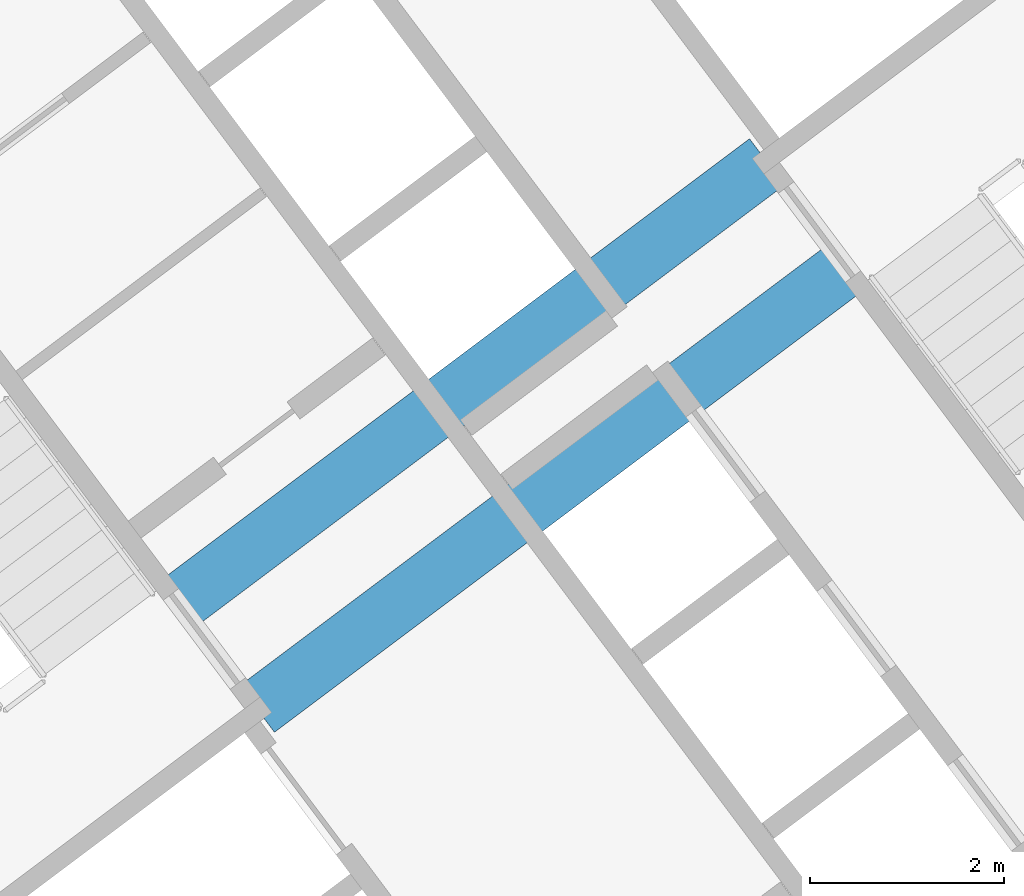
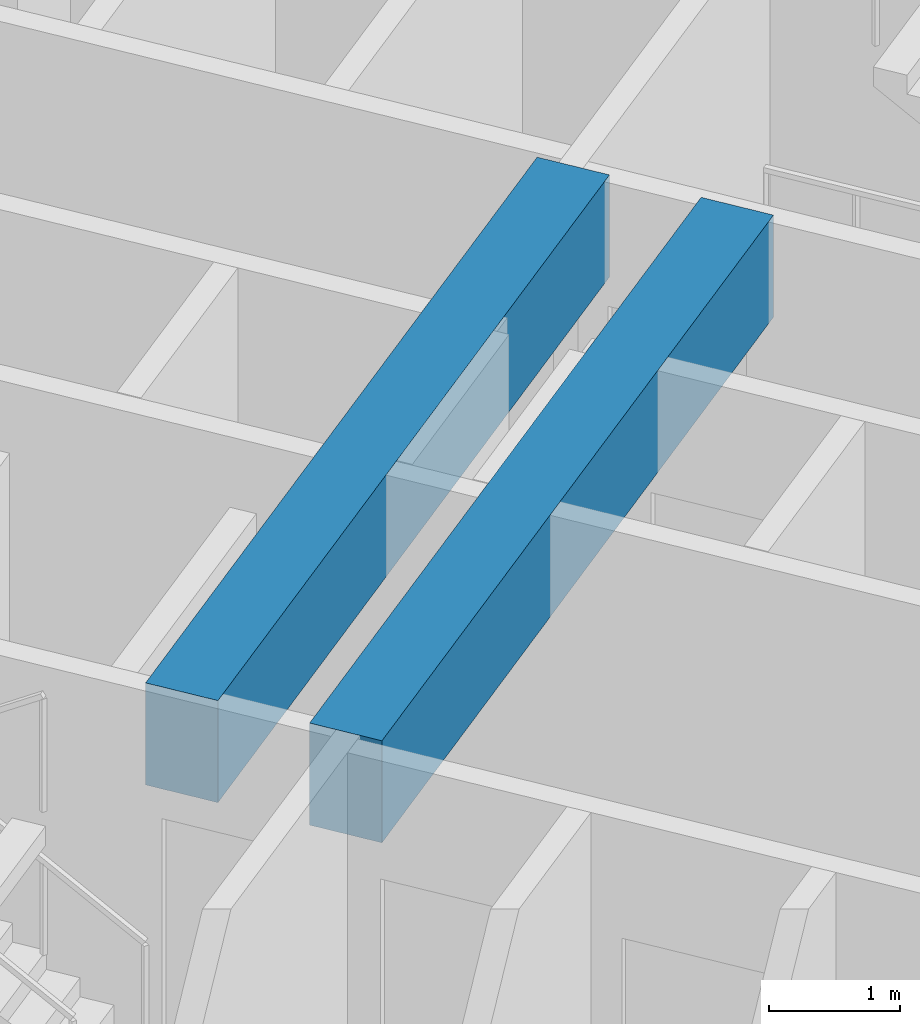
# One storey, part 25 of 47: 2 beams.
"""IFC4 building model written with IfcOpenShell, lengths in metres."""

from ifc_helpers import new_model, si_unit, direction, frame, origin, origin_2d, place, context, subcontext, project, spatial, rectangle, extrude, material, material_profile, profile_set, type_object, element, save


model = new_model("IFC4")

# Units and contexts
model_context = context("Model", 3, precision=1e-05, world=origin(), true_north=direction((0.0, 1.0)))
body_context = subcontext(model_context, "Body", "Model", "MODEL_VIEW")
ifc_project = project(units=[si_unit("LENGTHUNIT", "METRE"), si_unit("AREAUNIT", "SQUARE_METRE"), si_unit("VOLUMEUNIT", "CUBIC_METRE"), si_unit("PLANEANGLEUNIT", "RADIAN"), si_unit("MASSUNIT", "GRAM", prefix="KILO")], contexts=[model_context])

# Site, building, storey
site_placement = place(None, origin())
site = spatial("IfcSite", under=ifc_project, at=site_placement, CompositionType="ELEMENT")
building_placement = place(site_placement, origin())
building = spatial("IfcBuilding", under=site, at=building_placement, Name="Tashvorn Skyway Center", CompositionType="ELEMENT")
storey_placement = place(building_placement, frame((0.0, 0.0, 42.35009765625)))
storey = spatial("IfcBuildingStorey", under=building, at=storey_placement, Name="L10", CompositionType="ELEMENT", Elevation=42.35009765625)

# Beams
ifc_material = material(Name="Concrete C60/75", Category="concrete")
ifc_material_profile = material_profile(ifc_material, rectangle(XDim=0.60009765625, YDim=0.949951171875, at=origin_2d()), Name="RCB600x950")
ifc_profile_set = profile_set([ifc_material_profile], Name="Concrete C60/75")
beam_type = type_object("IfcBeamType", Name="BM-LINTEL-RCB600x950", PredefinedType="LINTEL", material=ifc_profile_set)
for number, where, z_axis, x_axis, name in (
    (1, (110.552001953125, 30.263916015625, 2.875), (0.8, 0.6, 0.0), (-0.6, 0.8, 0.0), "Tower 2 L10 Core Coupling Beam CN"),
    (2, (111.367919921875, 29.176025390625, 2.875), (0.8, 0.6, 0.0), (-0.6, 0.8, 0.0), "Tower 2 L10 Core Coupling Beam CS"),
):
    element("IfcBeam", number, at=place(storey_placement, frame(where, z_axis=z_axis, x_axis=x_axis)), inside=storey, type_object=beam_type, Name=name, PredefinedType="LINTEL", context=body_context, shape_type="SweptSolid", body=[
        extrude(rectangle(XDim=0.60009765625, YDim=0.949951171875, at=origin_2d()), origin(), (0.0, 0.0, 1.0), 7.60009765625),
    ])

save(model, "model.ifc")
